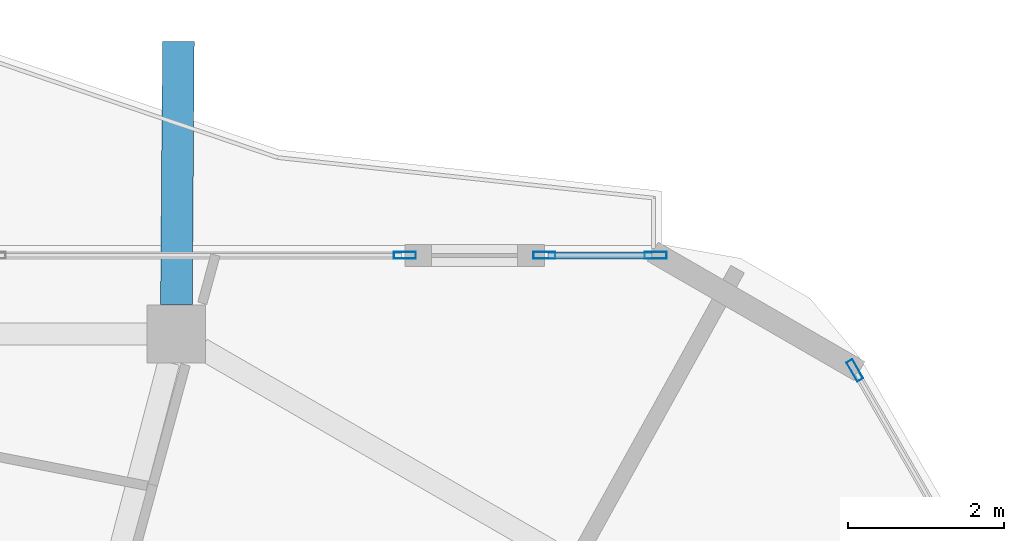
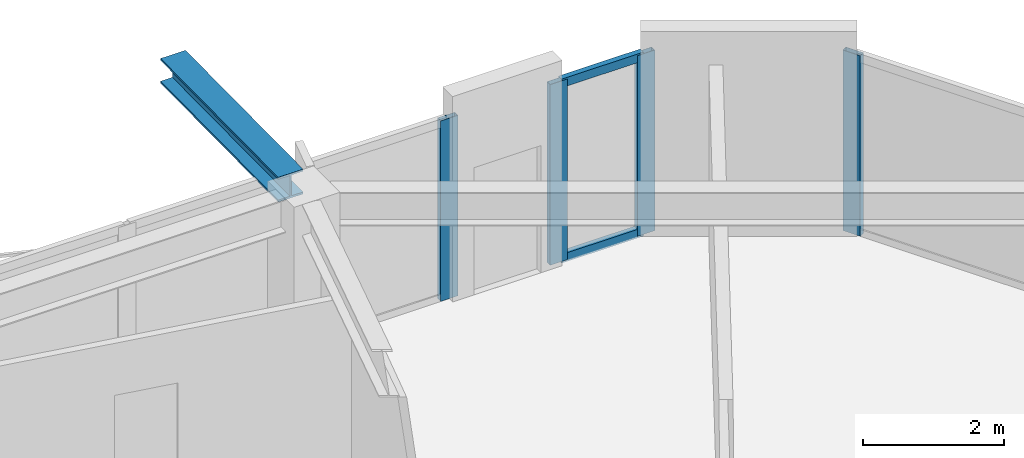
# One storey, part 13 of 21: 6 members, 1 beam, 3 elements without a shape of their own.
"""IFC4 building model written with IfcOpenShell, lengths in metres."""

from ifc_helpers import new_model, si_unit, direction, frame, origin, origin_2d, place, context, subcontext, project, spatial, hollow_rectangle, i_section, extrude, material, material_profile, profile_set, type_object, element, aggregate, save


model = new_model("IFC4")

# Units and contexts
model_context = context("Model", 3, precision=1e-05, world=origin(), true_north=direction((0.0, 1.0)))
body_context = subcontext(model_context, "Body", "Model", "MODEL_VIEW")
ifc_project = project(units=[si_unit("LENGTHUNIT", "METRE"), si_unit("AREAUNIT", "SQUARE_METRE"), si_unit("VOLUMEUNIT", "CUBIC_METRE"), si_unit("PLANEANGLEUNIT", "RADIAN"), si_unit("MASSUNIT", "GRAM", prefix="KILO")], contexts=[model_context])

# Site, building, storey
site_placement = place(None, origin())
site = spatial("IfcSite", under=ifc_project, at=site_placement, CompositionType="ELEMENT")
building_placement = place(site_placement, origin())
building = spatial("IfcBuilding", under=site, at=building_placement, Name="Zuhravey Tower", CompositionType="ELEMENT")
storey_placement = place(building_placement, frame((0.0, 0.0, 334.800048828125)))
storey = spatial("IfcBuildingStorey", under=building, at=storey_placement, Name="L85", CompositionType="ELEMENT", Elevation=334.800048828125)

# Curtain wall, member
ifc_material_1 = material(Name="Thermally broken anodised aluminium", Category="aluminium")
curtain_wall_type = type_object("IfcCurtainWallType", Name="Zone 3-4 High-Rise Curtain Wall CW4", PredefinedType="NOTDEFINED", material=ifc_material_1)
curtain_wall_1_placement = place(storey_placement, origin())
curtain_wall_1 = element("IfcCurtainWall", 1, at=curtain_wall_1_placement, inside=storey, type_object=curtain_wall_type, Name="L85 CW4 CW-L85-F2-1", PredefinedType="NOTDEFINED")
ifc_material_2 = material(Name="Anodised aluminium", Category="aluminium")
ifc_material_profile_1 = material_profile(ifc_material_2, hollow_rectangle(XDim=0.090087890625, YDim=0.284912109375, WallThickness=0.0048828125, at=origin_2d()), Name="ALU-RHS-90x285x5")
ifc_profile_set_1 = profile_set([ifc_material_profile_1], Name="Anodised aluminium")
member_type_1 = type_object("IfcMemberType", Name="Curtain-Wall Mullion 90x180", PredefinedType="MULLION", material=ifc_profile_set_1)
member_1_placement = place(storey_placement, frame((44.974609375, 56.07421875, 0.0), z_axis=(0.0, 0.0, 1.0), x_axis=(0.0, 1.0, 0.0)))
member_1 = element("IfcMember", 2, at=member_1_placement, type_object=member_type_1, Name="CW4 mullion 5", PredefinedType="MULLION", context=body_context, shape_type="SweptSolid", body=[
    extrude(hollow_rectangle(XDim=0.090087890625, YDim=0.284912109375, WallThickness=0.0048828125, at=origin_2d()), origin(), (0.0, 0.0, 1.0), 3.1220703125),
])
aggregate(curtain_wall_1, [member_1])

# Curtain wall, members
curtain_wall_2_placement = place(storey_placement, origin())
curtain_wall_2 = element("IfcCurtainWall", 3, at=curtain_wall_2_placement, inside=storey, type_object=curtain_wall_type, Name="L85 CW4 CW-L85-F2-2", PredefinedType="NOTDEFINED")
member_2_placement = place(storey_placement, frame((46.7646484375, 56.07421875, 0.0), z_axis=(0.0, 0.0, 1.0), x_axis=(0.0, 1.0, 0.0)))
member_2 = element("IfcMember", 4, at=member_2_placement, type_object=member_type_1, Name="CW4 mullion 1", PredefinedType="MULLION", context=body_context, shape_type="SweptSolid", body=[
    extrude(hollow_rectangle(XDim=0.090087890625, YDim=0.284912109375, WallThickness=0.0048828125, at=origin_2d()), origin(), (0.0, 0.0, 1.0), 3.1220703125),
])
member_3_placement = place(storey_placement, frame((48.1943359375, 56.07421875, 0.0), z_axis=(0.0, 0.0, 1.0), x_axis=(0.0, 1.0, 0.0)))
member_3 = element("IfcMember", 5, at=member_3_placement, type_object=member_type_1, Name="CW4 mullion 2", PredefinedType="MULLION", context=body_context, shape_type="SweptSolid", body=[
    extrude(hollow_rectangle(XDim=0.090087890625, YDim=0.284912109375, WallThickness=0.0048828125, at=origin_2d()), origin(), (0.0, 0.0, 1.0), 3.1220703125),
])

# Curtain wall, member
curtain_wall_3_placement = place(storey_placement, origin())
curtain_wall_3 = element("IfcCurtainWall", 6, at=curtain_wall_3_placement, inside=storey, type_object=curtain_wall_type, Name="L85 CW4 CW-L85-F1-1", PredefinedType="NOTDEFINED")
member_4_placement = place(storey_placement, frame((50.751708984375, 54.59765625, 0.0), z_axis=(0.0, 0.0, 1.0), x_axis=(0.866025511541, 0.49999981336, 0.0)))
member_4 = element("IfcMember", 7, at=member_4_placement, type_object=member_type_1, Name="CW4 mullion 1", PredefinedType="MULLION", context=body_context, shape_type="SweptSolid", body=[
    extrude(hollow_rectangle(XDim=0.090087890625, YDim=0.284912109375, WallThickness=0.0048828125, at=origin_2d()), origin(), (0.0, 0.0, 1.0), 3.1220703125),
])
aggregate(curtain_wall_3, [member_4])

# Member
ifc_material_profile_2 = material_profile(ifc_material_2, hollow_rectangle(XDim=0.090087890625, YDim=0.14990234375, WallThickness=0.0048828125, at=origin_2d()), Name="ALU-RHS-90x150x5")
ifc_profile_set_2 = profile_set([ifc_material_profile_2], Name="Anodised aluminium")
member_type_2 = type_object("IfcMemberType", Name="Curtain-Wall Transom 90x150", PredefinedType="USERDEFINED", material=ifc_profile_set_2)
member_5_placement = place(storey_placement, frame((46.8095703125, 56.07421875, 0.044921875), z_axis=(1.0, 0.0, 0.0), x_axis=(0.0, 1.0, 0.0)))
member_5 = element("IfcMember", 8, at=member_5_placement, type_object=member_type_2, Name="CW4 transom 1.1", ObjectType="TRANSOM", PredefinedType="USERDEFINED", context=body_context, shape_type="SweptSolid", body=[
    extrude(hollow_rectangle(XDim=0.090087890625, YDim=0.14990234375, WallThickness=0.0048828125, at=origin_2d()), origin(), (0.0, 0.0, 1.0), 1.33984375),
])

member_6_placement = place(storey_placement, frame((46.8095703125, 56.07421875, 3.076904296875), z_axis=(1.0, 0.0, 0.0), x_axis=(0.0, 1.0, 0.0)))
member_6 = element("IfcMember", 9, at=member_6_placement, type_object=member_type_2, Name="CW4 transom 1.2", ObjectType="TRANSOM", PredefinedType="USERDEFINED", context=body_context, shape_type="SweptSolid", body=[
    extrude(hollow_rectangle(XDim=0.090087890625, YDim=0.14990234375, WallThickness=0.0048828125, at=origin_2d()), origin(), (0.0, 0.0, 1.0), 1.33984375),
])

aggregate(curtain_wall_2, [member_2, member_3, member_5, member_6])

# Beam
ifc_material_3 = material(Name="Steel SM460", Category="steel")
ifc_material_profile_3 = material_profile(ifc_material_3, i_section(OverallWidth=0.406982421875, OverallDepth=0.427978515625, WebThickness=0.02001953125, FlangeThickness=0.034912109375, at=origin_2d()), Name="H-428x407x20x35")
ifc_profile_set_3 = profile_set([ifc_material_profile_3], Name="Steel SM460")
beam_type = type_object("IfcBeamType", Name="Exoskeleton Node Tie Beam H428x407", PredefinedType="BEAM", material=ifc_profile_set_3)
beam_placement = place(storey_placement, frame((42.04150390625, 55.443115234375, 3.3359375), z_axis=(0.007665380805, 0.999970620537, 0.0), x_axis=(-0.999970620537, 0.007665380805, 0.0)))
element("IfcBeam", 10, at=beam_placement, inside=storey, type_object=beam_type, Name="L85 Exoskeleton Node Tie NT1-03", PredefinedType="BEAM", context=body_context, shape_type="SweptSolid", body=[
    extrude(i_section(OverallWidth=0.406982421875, OverallDepth=0.427978515625, WebThickness=0.02001953125, FlangeThickness=0.034912109375, at=origin_2d()), origin(), (0.0, 0.0, 1.0), 3.3759765625),
])

save(model, "model.ifc")
